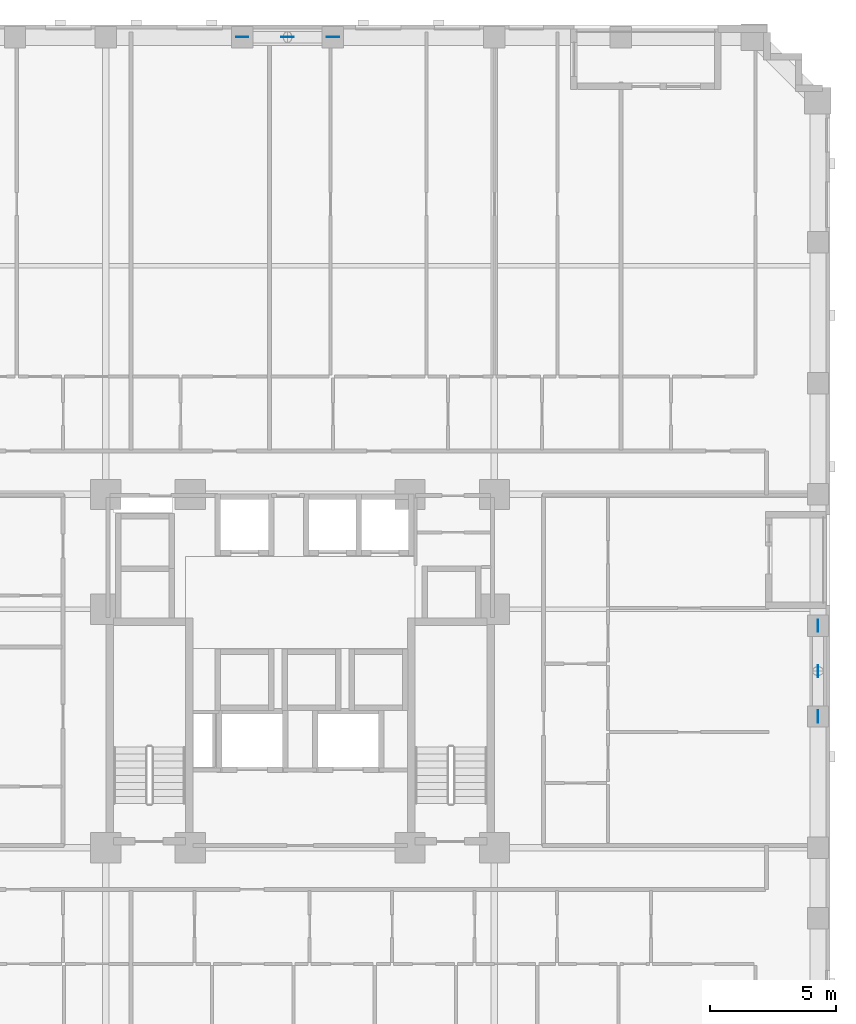
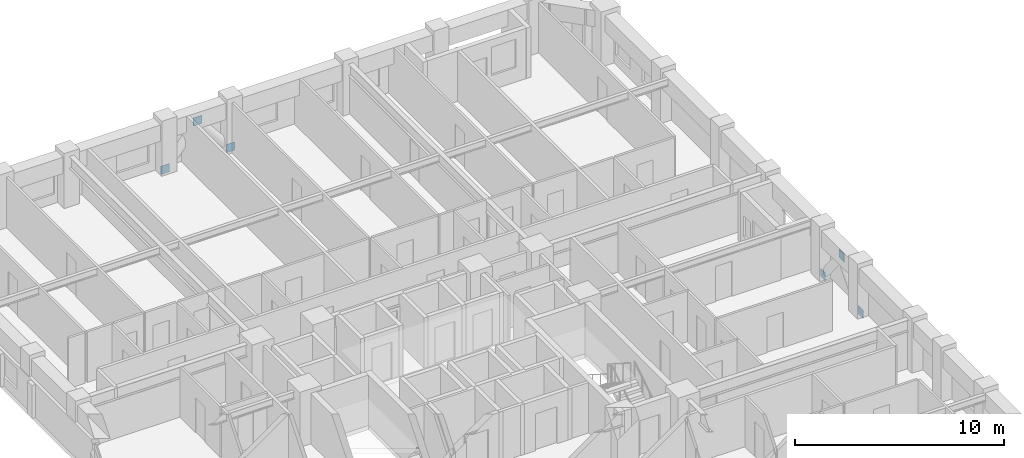
# One storey, part 11 of 14: 6 discrete accessories.
"""IFC4 building model written with IfcOpenShell, lengths in metres."""

import ifcopenshell
import ifcopenshell.guid

model = None  # the IFC model being written
_history = None  # IfcOwnerHistory: only IFC2X3 demands one
_inside = {}  # id of a spatial element -> (the spatial element, [elements in it])
_under = {}  # id of a project, library or spatial element -> (it, [spatial elements below it])
_declared = {}  # id of a project -> (the project, [libraries it declares])
_typed = {}  # id of a type object -> (the type object, [elements of that type])
_made_of = {}  # id of a material, layer set ... -> (it, [elements and type objects made of it])


def new_model(schema):
    """Start an empty IFC model of exactly this schema.

    Asked for "IFC4X3", IfcOpenShell would pick the latest addendum, in which some entities
    have other attributes; the version numbers below select the first issue.
    IFC2X3 requires an IfcOwnerHistory on every rooted entity: one is made here for all.
    """
    global model, _history
    if schema == "IFC4X3":
        model = ifcopenshell.file(schema_version=(4, 3, 0, 0))
    else:
        model = ifcopenshell.file(schema=schema)
    _inside.clear()
    _under.clear()
    _declared.clear()
    _typed.clear()
    _made_of.clear()
    _history = None
    if model.schema == "IFC2X3":
        org = make("IfcOrganization", Name="unknown")
        user = make(
            "IfcPersonAndOrganization",
            ThePerson=make("IfcPerson", FamilyName="unknown"),
            TheOrganization=org,
        )
        app = make(
            "IfcApplication",
            ApplicationDeveloper=org,
            Version="unknown",
            ApplicationFullName="unknown",
            ApplicationIdentifier="unknown",
        )
        _history = make(
            "IfcOwnerHistory",
            OwningUser=user,
            OwningApplication=app,
            ChangeAction="ADDED",
            CreationDate=0,
        )
    return model


def make(cls, **values):
    """One entity of the class cls with the attributes given. An attribute that is None is left unset."""
    return model.create_entity(
        cls, **{name: value for name, value in values.items() if value is not None}
    )


def rooted(cls, **values):
    """An entity with a GlobalId (a new one), such as an element, a storey or a relation."""
    return make(cls, GlobalId=ifcopenshell.guid.new(), OwnerHistory=_history, **values)


def si_unit(unit_type, name, prefix=None):
    """IfcSIUnit, for example si_unit("LENGTHUNIT", "METRE", prefix="MILLI")."""
    return make("IfcSIUnit", UnitType=unit_type, Prefix=prefix, Name=name)


def derived_unit(unit_type, elements):
    """IfcDerivedUnit: a product of units, each with its exponent."""
    return make(
        "IfcDerivedUnit",
        Elements=[
            make("IfcDerivedUnitElement", Unit=unit, Exponent=power)
            for unit, power in elements
        ],
        UnitType=unit_type,
    )


def assignment(units):
    """IfcUnitAssignment: the units of a project."""
    return None if units is None else make("IfcUnitAssignment", Units=units)


def point(xyz):
    """IfcCartesianPoint."""
    return None if xyz is None else make("IfcCartesianPoint", Coordinates=xyz)


def direction(xyz):
    """IfcDirection."""
    return None if xyz is None else make("IfcDirection", DirectionRatios=xyz)


def frame(location, z_axis=None, x_axis=None):
    """IfcAxis2Placement3D, a coordinate frame: its origin and axes. An axis left out is left unset."""
    return make(
        "IfcAxis2Placement3D",
        Location=point(location),
        Axis=direction(z_axis),
        RefDirection=direction(x_axis),
    )


def frame_2d(location, x_axis=None):
    """IfcAxis2Placement2D, a coordinate frame in the plane: its origin and x axis."""
    return make(
        "IfcAxis2Placement2D", Location=point(location), RefDirection=direction(x_axis)
    )


def origin():
    """The frame at (0, 0, 0) with its axes left unset."""
    return frame((0.0, 0.0, 0.0))


def origin_2d():
    """The frame at (0, 0) in the plane with its x axis left unset."""
    return frame_2d((0.0, 0.0))


def place(relative_to, where):
    """IfcLocalPlacement: puts the frame where relative to a parent placement (None: the world)."""
    return make(
        "IfcLocalPlacement", PlacementRelTo=relative_to, RelativePlacement=where
    )


def context(
    kind, dimensions, precision=None, world=None, true_north=None, identifier=None
):
    """IfcGeometricRepresentationContext, for example the 3D "Model" context."""
    return make(
        "IfcGeometricRepresentationContext",
        ContextIdentifier=identifier,
        ContextType=kind,
        CoordinateSpaceDimension=dimensions,
        Precision=precision,
        WorldCoordinateSystem=world,
        TrueNorth=true_north,
    )


def subcontext(parent, identifier, kind, view, scale=None):
    """IfcGeometricRepresentationSubContext, for example "Body" below "Model"."""
    return make(
        "IfcGeometricRepresentationSubContext",
        ContextIdentifier=identifier,
        ContextType=kind,
        ParentContext=parent,
        TargetScale=scale,
        TargetView=view,
    )


def project(units=None, contexts=None):
    """IfcProject with its units and contexts."""
    return rooted(
        "IfcProject",
        Name="project",
        RepresentationContexts=contexts,
        UnitsInContext=assignment(units),
    )


def spatial(cls, under=None, at=None, **own):
    """A site, building, storey or space (cls), placed at a placement, below another one or the project."""
    s = rooted(cls, ObjectPlacement=at, **own)
    if under is not None:
        _under.setdefault(under.id(), (under, []))[1].append(s)
    return s


def profile(cls, at=None, kind="AREA", **sizes):
    """A parametric profile (cls). Its sizes go by their IFC names, for example OverallWidth=200.0."""
    return make(cls, ProfileType=kind, Position=at, **sizes)


def rectangle(**sizes):
    """IfcRectangleProfileDef."""
    return profile("IfcRectangleProfileDef", **sizes)


def extrude(swept, where, along, depth):
    """IfcExtrudedAreaSolid: the profile swept, set in the frame where, extruded along a direction by depth."""
    return make(
        "IfcExtrudedAreaSolid",
        SweptArea=swept,
        Position=where,
        ExtrudedDirection=direction(along),
        Depth=depth,
    )


def shape(context_of_items, identifier, shape_type, items):
    """IfcShapeRepresentation: the items that make up one representation, for example the "Body"."""
    return make(
        "IfcShapeRepresentation",
        ContextOfItems=context_of_items,
        RepresentationIdentifier=identifier,
        RepresentationType=shape_type,
        Items=items,
    )


def material(Name=None, Category=None):
    """IfcMaterial."""
    return make("IfcMaterial", Name=Name, Category=Category)


def layer(
    of_material, thickness, ventilated=None, Name=None, Category=None, Priority=None
):
    """IfcMaterialLayer: one layer of a wall or slab, of a material (None: an air gap)."""
    return make(
        "IfcMaterialLayer",
        Material=of_material,
        LayerThickness=thickness,
        IsVentilated=ventilated,
        Name=Name,
        Category=Category,
        Priority=Priority,
    )


def layer_set(layers, Name=None):
    """IfcMaterialLayerSet."""
    return make("IfcMaterialLayerSet", MaterialLayers=layers, LayerSetName=Name)


def made_of(thing, what):
    """Note that an element or type object is made of a material, layer set ...; save() writes the relation."""
    if what is not None:
        _made_of.setdefault(what.id(), (what, []))[1].append(thing)
    return thing


def type_object(cls, material=None, **own):
    """A type object (cls), such as IfcWallType, which elements share."""
    return made_of(rooted(cls, **own), material)


def element(
    cls,
    number,
    at=None,
    inside=None,
    cuts=None,
    type_object=None,
    material=None,
    context=None,
    identifier="Body",
    shape_type=None,
    held_by="IfcProductDefinitionShape",
    body=None,
    shapes=None,
    **own,
):
    """One element of the class cls, such as IfcWall. Its Tag is "e" and its number.

    at: its placement. inside: the storey or other place that contains it. cuts: it is an
    opening in that element (IfcRelVoidsElement). A single representation is given by context,
    identifier, shape_type and body (its items); several are given by shapes. held_by: the class
    of the entity that holds the representations. save() writes the other relations.
    """
    e = rooted(cls, Tag="e%d" % number, ObjectPlacement=at, **own)
    if body is not None:
        shapes = [shape(context, identifier, shape_type, body)]
    if shapes is not None:
        e.Representation = make(held_by, Representations=shapes)
    if inside is not None:
        _inside.setdefault(inside.id(), (inside, []))[1].append(e)
    if cuts is not None:
        rooted(
            "IfcRelVoidsElement", RelatingBuildingElement=cuts, RelatedOpeningElement=e
        )
    if type_object is not None:
        _typed.setdefault(type_object.id(), (type_object, []))[1].append(e)
    return made_of(e, material)


def aggregate(whole, parts):
    """IfcRelAggregates: a whole, such as a stair, and the parts it consists of."""
    return rooted("IfcRelAggregates", RelatingObject=whole, RelatedObjects=parts)


def save(model, path):
    """Write the relations noted so far, then the file.

    IfcRelAggregates (storeys below a building ...), IfcRelContainedInSpatialStructure (elements
    in a storey), IfcRelDefinesByType, IfcRelAssociatesMaterial and IfcRelDeclares: one each for
    every whole, place, type object, material and project.
    """
    for whole, parts in _under.values():
        aggregate(whole, parts)
    for where, things in _inside.values():
        rooted(
            "IfcRelContainedInSpatialStructure",
            RelatedElements=things,
            RelatingStructure=where,
        )
    for kind, things in _typed.values():
        rooted("IfcRelDefinesByType", RelatedObjects=things, RelatingType=kind)
    for what, things in _made_of.values():
        rooted("IfcRelAssociatesMaterial", RelatedObjects=things, RelatingMaterial=what)
    for by, libraries in _declared.values():
        rooted("IfcRelDeclares", RelatingContext=by, RelatedDefinitions=libraries)
    model.write(path)


model = new_model("IFC4")

# Units and contexts
model_context = context("Model", 3, precision=1e-05, world=origin(), true_north=direction((0.0, 1.0)))
body_context = subcontext(model_context, "Body", "Model", "MODEL_VIEW")
ifc_project = project(units=[si_unit("LENGTHUNIT", "METRE"), si_unit("AREAUNIT", "SQUARE_METRE"), si_unit("VOLUMEUNIT", "CUBIC_METRE"), si_unit("PLANEANGLEUNIT", "RADIAN"), si_unit("MASSUNIT", "GRAM", prefix="KILO"), derived_unit("THERMALTRANSMITTANCEUNIT", [(si_unit("MASSUNIT", "GRAM", prefix="KILO"), 1), (si_unit("TIMEUNIT", "SECOND"), -3), (si_unit("THERMODYNAMICTEMPERATUREUNIT", "KELVIN"), -1)])], contexts=[model_context])

# Site, building, storey
site_placement = place(None, origin())
site = spatial("IfcSite", under=ifc_project, at=site_placement, CompositionType="ELEMENT")
building_placement = place(site_placement, origin())
building = spatial("IfcBuilding", under=site, at=building_placement, Name="Korrvale Station Residences", CompositionType="ELEMENT")
storey_placement = place(building_placement, frame((0.0, 0.0, 61.0)))
storey = spatial("IfcBuildingStorey", under=building, at=storey_placement, Name="L16", CompositionType="ELEMENT", Elevation=61.0)

# Discrete accessories
ifc_material = material(Name="Steel S355", Category="steel")
ifc_layer = layer(ifc_material, 0.02490234375, Name="Steel S355")
ifc_layer_set = layer_set([ifc_layer], Name="Steel S355")
discrete_accessory_type = type_object("IfcDiscreteAccessoryType", Name="ACC-GUSSET-25", PredefinedType="BRACKET", material=ifc_layer_set)
for number, where, z_axis, x_axis, name in (
    (1, (23.199951171875, 47.1201171875, -0.219970703125), (0.0, 0.0, 1.0), (1.0, 0.0, 0.0), "L16 N Brace End Gusset Connection A"),
    (2, (26.800048828125, 47.1201171875, -0.219970703125), (0.0, 0.0, 1.0), (1.0, 0.0, 0.0), "L16 N Brace End Gusset Connection B"),
    (3, (25.0, 47.1201171875, 1.969970703125), (0.0, 0.0, 1.0), (1.0, 0.0, 0.0), "L16 N Brace End Gusset Connection M"),
    (4, (46.02001953125, 20.199951171875, -0.219970703125), (0.0, 0.0, 1.0), (0.0, 1.0, 0.0), "L16 E Brace End Gusset Connection A"),
    (5, (46.02001953125, 23.800048828125, -0.219970703125), (0.0, 0.0, 1.0), (0.0, 1.0, 0.0), "L16 E Brace End Gusset Connection B"),
    (6, (46.02001953125, 22.0, 1.969970703125), (0.0, 0.0, 1.0), (0.0, 1.0, 0.0), "L16 E Brace End Gusset Connection M"),
):
    element("IfcDiscreteAccessory", number, at=place(storey_placement, frame(where, z_axis=z_axis, x_axis=x_axis)), inside=storey, type_object=discrete_accessory_type, Name=name, PredefinedType="BRACKET", context=body_context, shape_type="SweptSolid", body=[
        extrude(rectangle(XDim=0.47998046875, YDim=0.02490234375, at=origin_2d()), origin(), (0.0, 0.0, 1.0), 0.47998046875),
    ])

save(model, "model.ifc")
